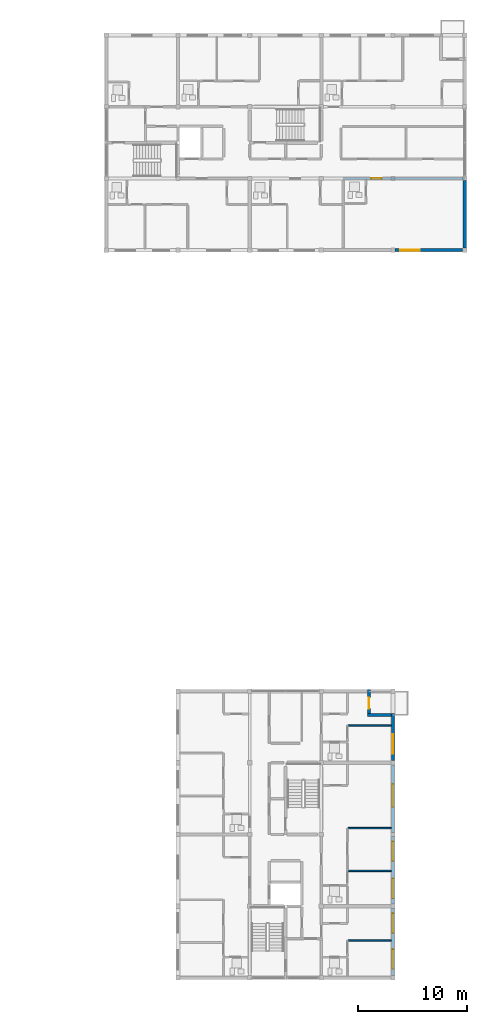
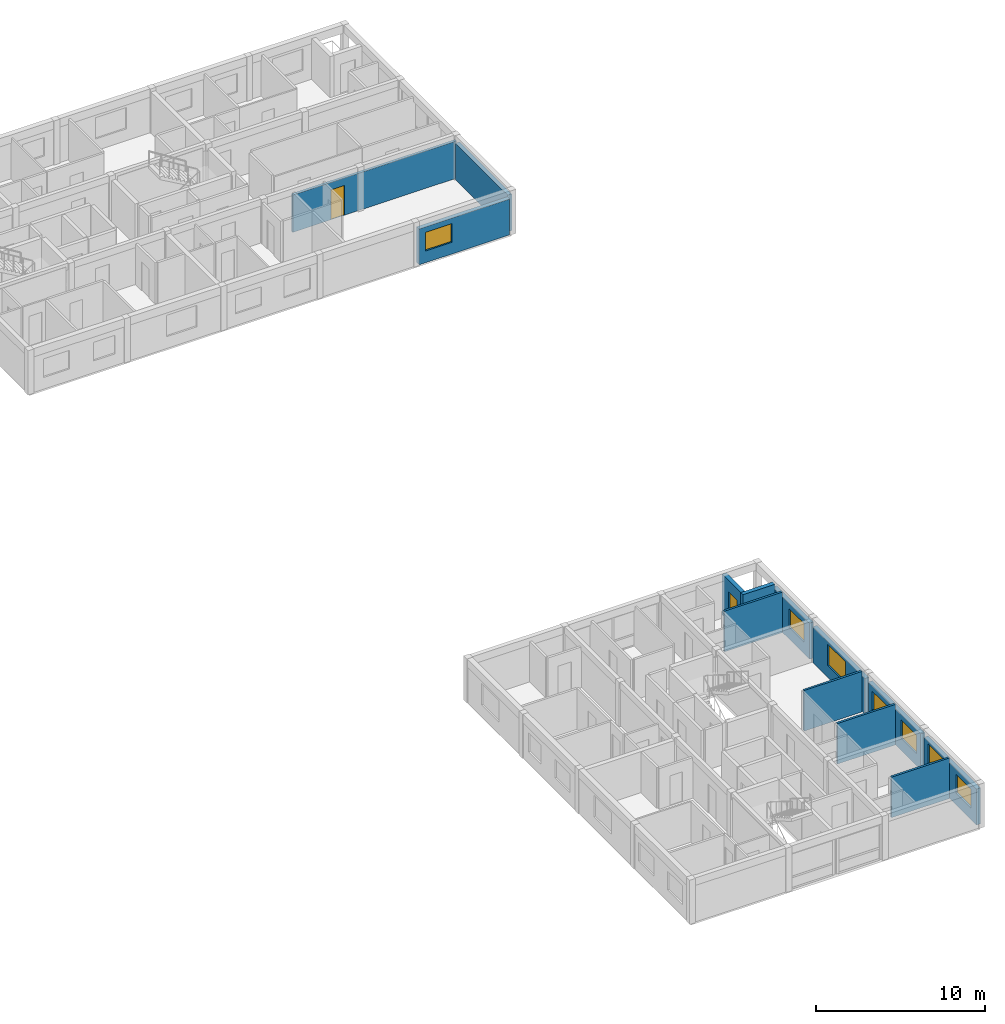
# One storey, part 26 of 34: 13 walls, 7 windows, 2 doors, 9 openings.
"""IFC4 building model written with IfcOpenShell, lengths in metres."""

from ifc_helpers import new_model, si_unit, direction, frame, frame_2d, origin, place, context, subcontext, project, spatial, rectangle, extrude, material, layer, layer_set, type_object, element, fill, save


model = new_model("IFC4")

# Units and contexts
model_context = context("Model", 3, precision=1e-05, world=origin(), true_north=direction((0.0, 1.0)))
body_context = subcontext(model_context, "Body", "Model", "MODEL_VIEW")
ifc_project = project(units=[si_unit("LENGTHUNIT", "METRE"), si_unit("AREAUNIT", "SQUARE_METRE"), si_unit("VOLUMEUNIT", "CUBIC_METRE"), si_unit("PLANEANGLEUNIT", "RADIAN"), si_unit("MASSUNIT", "GRAM", prefix="KILO")], contexts=[model_context])

# Site, building, storey
site_placement = place(None, origin())
site = spatial("IfcSite", under=ifc_project, at=site_placement, CompositionType="ELEMENT")
building_placement = place(site_placement, origin())
building = spatial("IfcBuilding", under=site, at=building_placement, Name="Kernevlak Ridge Housing Community", CompositionType="ELEMENT")
storey_placement = place(building_placement, frame((0.0, 0.0, 34.0)))
storey = spatial("IfcBuildingStorey", under=building, at=storey_placement, Name="L10", CompositionType="ELEMENT", Elevation=34.0)

# Wall, opening, window
ifc_material_1 = material(Name="Concrete block masonry M10", Category="masonry")
ifc_layer_1 = layer(ifc_material_1, 0.280029296875, Name="Concrete block masonry M10")
ifc_layer_set_1 = layer_set([ifc_layer_1], Name="Concrete block masonry M10")
wall_type_1 = type_object("IfcWallType", Name="EW-03", PredefinedType="STANDARD", material=ifc_layer_set_1)
wall_1_placement = place(storey_placement, frame((146.0, 82.60009765625, 0.0), z_axis=(0.0, 0.0, 1.0), x_axis=(1.0, 0.0, 0.0)))
wall_1 = element("IfcWall", 1, at=wall_1_placement, inside=storey, type_object=wall_type_1, Name="Exterior wall EW-03 L10 455", PredefinedType="STANDARD", context=body_context, shape_type="SweptSolid", body=[
    extrude(rectangle(XDim=6.199951171875, YDim=0.280029296875, at=frame_2d((3.10009765625, 0.0))), origin(), (0.0, 0.0, 1.0), 2.60009765625),
])
opening_1_placement = place(wall_1_placement, frame((0.449951171875, 0.0, 0.85009765625)))
opening_1 = element("IfcOpeningElement", 2, at=opening_1_placement, cuts=wall_1, Name="Opening WT-03", PredefinedType="OPENING", context=body_context, shape_type="SweptSolid", body=[
    extrude(rectangle(XDim=1.800048828125, YDim=1.35009765625, at=frame_2d((0.89990234375, 0.675048828125))), frame((0.0, 0.14990234375, 0.0), z_axis=(0.0, -1.0, 0.0), x_axis=(1.0, 0.0, 0.0)), (0.0, 0.0, 1.0), 0.300048828125),
])
ifc_material_2 = material(Name="Aluminium EN AW-6060 anodised and laminated glass", Category="aluminium")
window_type_1 = type_object("IfcWindowType", Name="WT-03", PartitioningType="SINGLE_PANEL", PredefinedType="WINDOW", material=ifc_material_2)
window_1_placement = place(opening_1_placement, origin())
window_1 = element("IfcWindow", 3, at=window_1_placement, inside=storey, type_object=window_type_1, Name="Window WT-03 L10 353", OverallHeight=1.35009765625, OverallWidth=1.800048828125, PartitioningType="SINGLE_PANEL", PredefinedType="WINDOW", context=body_context, shape_type="SweptSolid", body=[
    extrude(rectangle(XDim=1.800048828125, YDim=1.35009765625, at=frame_2d((0.89990234375, 0.675048828125))), frame((0.0, 0.030029296875, 0.0), z_axis=(0.0, -1.0, 0.0), x_axis=(1.0, 0.0, 0.0)), (0.0, 0.0, 1.0), 0.06005859375),
])
fill(opening_1, window_1)

# Wall
wall_2_placement = place(storey_placement, frame((152.39990234375, 82.800048828125, 0.0), z_axis=(0.0, 0.0, 1.0), x_axis=(0.0, 1.0, 0.0)))
element("IfcWall", 4, at=wall_2_placement, inside=storey, type_object=wall_type_1, Name="Exterior wall EW-03 L10 465", PredefinedType="STANDARD", context=body_context, shape_type="SweptSolid", body=[
    extrude(rectangle(XDim=6.199951171875, YDim=0.280029296875, at=frame_2d((3.10009765625, 0.0))), origin(), (0.0, 0.0, 1.0), 2.64990234375),
])

# Wall, openings, windows
wall_3_placement = place(storey_placement, frame((145.800048828125, 15.800048828125, 0.0), z_axis=(0.0, 0.0, 1.0), x_axis=(0.0, 1.0, 0.0)))
wall_3 = element("IfcWall", 5, at=wall_3_placement, inside=storey, type_object=wall_type_1, Name="Exterior wall EW-03 L10 674", PredefinedType="STANDARD", context=body_context, shape_type="SweptSolid", body=[
    extrude(rectangle(XDim=6.199951171875, YDim=0.280029296875, at=frame_2d((3.10009765625, 0.0))), origin(), (0.0, 0.0, 1.0), 2.60009765625),
])
opening_2_placement = place(wall_3_placement, frame((0.625, 0.0, 0.85009765625)))
opening_2 = element("IfcOpeningElement", 6, at=opening_2_placement, cuts=wall_3, Name="Opening WT-03", PredefinedType="OPENING", context=body_context, shape_type="SweptSolid", body=[
    extrude(rectangle(XDim=1.800048828125, YDim=1.35009765625, at=frame_2d((0.89990234375, 0.675048828125))), frame((0.0, 0.14990234375, 0.0), z_axis=(0.0, -1.0, 0.0), x_axis=(1.0, 0.0, 0.0)), (0.0, 0.0, 1.0), 0.300048828125),
])
opening_3_placement = place(wall_3_placement, frame((3.925048828125, 0.0, 0.85009765625)))
opening_3 = element("IfcOpeningElement", 7, at=opening_3_placement, cuts=wall_3, Name="Opening WT-04", PredefinedType="OPENING", context=body_context, shape_type="SweptSolid", body=[
    extrude(rectangle(XDim=1.800048828125, YDim=1.550048828125, at=frame_2d((0.89990234375, 0.77490234375))), frame((0.0, 0.14990234375, 0.0), z_axis=(0.0, -1.0, 0.0), x_axis=(1.0, 0.0, 0.0)), (0.0, 0.0, 1.0), 0.300048828125),
])
window_2_placement = place(opening_2_placement, origin())
window_2 = element("IfcWindow", 8, at=window_2_placement, inside=storey, type_object=window_type_1, Name="Window WT-03 L10 550", OverallHeight=1.35009765625, OverallWidth=1.800048828125, PartitioningType="SINGLE_PANEL", PredefinedType="WINDOW", context=body_context, shape_type="SweptSolid", body=[
    extrude(rectangle(XDim=1.800048828125, YDim=1.35009765625, at=frame_2d((0.89990234375, 0.675048828125))), frame((0.0, 0.030029296875, 0.0), z_axis=(0.0, -1.0, 0.0), x_axis=(1.0, 0.0, 0.0)), (0.0, 0.0, 1.0), 0.06005859375),
])
fill(opening_2, window_2)
window_type_2 = type_object("IfcWindowType", Name="WT-04", PartitioningType="SINGLE_PANEL", PredefinedType="WINDOW", material=ifc_material_2)
window_3_placement = place(opening_3_placement, origin())
window_3 = element("IfcWindow", 9, at=window_3_placement, inside=storey, type_object=window_type_2, Name="Window WT-04 L10 551", OverallHeight=1.550048828125, OverallWidth=1.800048828125, PartitioningType="SINGLE_PANEL", PredefinedType="WINDOW", context=body_context, shape_type="SweptSolid", body=[
    extrude(rectangle(XDim=1.800048828125, YDim=1.550048828125, at=frame_2d((0.89990234375, 0.77490234375))), frame((0.0, 0.030029296875, 0.0), z_axis=(0.0, -1.0, 0.0), x_axis=(1.0, 0.0, 0.0)), (0.0, 0.0, 1.0), 0.06005859375),
])
fill(opening_3, window_3)

wall_4_placement = place(storey_placement, frame((145.800048828125, 22.39990234375, 0.0), z_axis=(0.0, 0.0, 1.0), x_axis=(0.0, 1.0, 0.0)))
wall_4 = element("IfcWall", 10, at=wall_4_placement, inside=storey, type_object=wall_type_1, Name="Exterior wall EW-03 L10 675", PredefinedType="STANDARD", context=body_context, shape_type="SweptSolid", body=[
    extrude(rectangle(XDim=6.2001953125, YDim=0.280029296875, at=frame_2d((3.10009765625, 0.0))), origin(), (0.0, 0.0, 1.0), 2.60009765625),
])
opening_4_placement = place(wall_4_placement, frame((0.52490234375, 0.0, 0.85009765625)))
opening_4 = element("IfcOpeningElement", 11, at=opening_4_placement, cuts=wall_4, Name="Opening WT-03", PredefinedType="OPENING", context=body_context, shape_type="SweptSolid", body=[
    extrude(rectangle(XDim=1.800048828125, YDim=1.35009765625, at=frame_2d((0.89990234375, 0.675048828125))), frame((0.0, 0.14990234375, 0.0), z_axis=(0.0, -1.0, 0.0), x_axis=(1.0, 0.0, 0.0)), (0.0, 0.0, 1.0), 0.300048828125),
])
opening_5_placement = place(wall_4_placement, frame((3.949951171875, 0.0, 0.85009765625)))
opening_5 = element("IfcOpeningElement", 12, at=opening_5_placement, cuts=wall_4, Name="Opening WT-03", PredefinedType="OPENING", context=body_context, shape_type="SweptSolid", body=[
    extrude(rectangle(XDim=1.800048828125, YDim=1.35009765625, at=frame_2d((0.89990234375, 0.675048828125))), frame((0.0, 0.14990234375, 0.0), z_axis=(0.0, -1.0, 0.0), x_axis=(1.0, 0.0, 0.0)), (0.0, 0.0, 1.0), 0.300048828125),
])
window_4_placement = place(opening_4_placement, origin())
window_4 = element("IfcWindow", 13, at=window_4_placement, inside=storey, type_object=window_type_1, Name="Window WT-03 L10 552", OverallHeight=1.35009765625, OverallWidth=1.800048828125, PartitioningType="SINGLE_PANEL", PredefinedType="WINDOW", context=body_context, shape_type="SweptSolid", body=[
    extrude(rectangle(XDim=1.800048828125, YDim=1.35009765625, at=frame_2d((0.89990234375, 0.675048828125))), frame((0.0, 0.030029296875, 0.0), z_axis=(0.0, -1.0, 0.0), x_axis=(1.0, 0.0, 0.0)), (0.0, 0.0, 1.0), 0.06005859375),
])
fill(opening_4, window_4)
window_5_placement = place(opening_5_placement, origin())
window_5 = element("IfcWindow", 14, at=window_5_placement, inside=storey, type_object=window_type_1, Name="Window WT-03 L10 553", OverallHeight=1.35009765625, OverallWidth=1.800048828125, PartitioningType="SINGLE_PANEL", PredefinedType="WINDOW", context=body_context, shape_type="SweptSolid", body=[
    extrude(rectangle(XDim=1.800048828125, YDim=1.35009765625, at=frame_2d((0.89990234375, 0.675048828125))), frame((0.0, 0.030029296875, 0.0), z_axis=(0.0, -1.0, 0.0), x_axis=(1.0, 0.0, 0.0)), (0.0, 0.0, 1.0), 0.06005859375),
])
fill(opening_5, window_5)

# Wall, opening, window
wall_5_placement = place(storey_placement, frame((145.800048828125, 29.0, 0.0), z_axis=(0.0, 0.0, 1.0), x_axis=(0.0, 1.0, 0.0)))
wall_5 = element("IfcWall", 15, at=wall_5_placement, inside=storey, type_object=wall_type_1, Name="Exterior wall EW-03 L10 676", PredefinedType="STANDARD", context=body_context, shape_type="SweptSolid", body=[
    extrude(rectangle(XDim=6.199951171875, YDim=0.280029296875, at=frame_2d((3.10009765625, 0.0))), origin(), (0.0, 0.0, 1.0), 2.60009765625),
])
opening_6_placement = place(wall_5_placement, frame((2.345947265625, 0.0, 0.85009765625)))
opening_6 = element("IfcOpeningElement", 16, at=opening_6_placement, cuts=wall_5, Name="Opening WT-05", PredefinedType="OPENING", context=body_context, shape_type="SweptSolid", body=[
    extrude(rectangle(XDim=2.10009765625, YDim=1.550048828125, at=frame_2d((1.050048828125, 0.77490234375))), frame((0.0, 0.14990234375, 0.0), z_axis=(0.0, -1.0, 0.0), x_axis=(1.0, 0.0, 0.0)), (0.0, 0.0, 1.0), 0.300048828125),
])
window_type_3 = type_object("IfcWindowType", Name="WT-05", PartitioningType="SINGLE_PANEL", PredefinedType="WINDOW", material=ifc_material_2)
window_6_placement = place(opening_6_placement, origin())
window_6 = element("IfcWindow", 17, at=window_6_placement, inside=storey, type_object=window_type_3, Name="Window WT-05 L10 554", OverallHeight=1.550048828125, OverallWidth=2.10009765625, PartitioningType="SINGLE_PANEL", PredefinedType="WINDOW", context=body_context, shape_type="SweptSolid", body=[
    extrude(rectangle(XDim=2.10009765625, YDim=1.550048828125, at=frame_2d((1.050048828125, 0.77490234375))), frame((0.0, 0.030029296875, 0.0), z_axis=(0.0, -1.0, 0.0), x_axis=(1.0, 0.0, 0.0)), (0.0, 0.0, 1.0), 0.06005859375),
])
fill(opening_6, window_6)

wall_6_placement = place(storey_placement, frame((145.800048828125, 35.60009765625, 0.0), z_axis=(0.0, 0.0, 1.0), x_axis=(0.0, 1.0, 0.0)))
wall_6 = element("IfcWall", 18, at=wall_6_placement, inside=storey, type_object=wall_type_1, Name="Exterior wall EW-03 L10 677", PredefinedType="STANDARD", context=body_context, shape_type="SweptSolid", body=[
    extrude(rectangle(XDim=4.33984375, YDim=0.280029296875, at=frame_2d((2.169921875, 0.0))), origin(), (0.0, 0.0, 1.0), 2.60009765625),
])
opening_7_placement = place(wall_6_placement, frame((0.625, 0.0, 0.85009765625)))
opening_7 = element("IfcOpeningElement", 19, at=opening_7_placement, cuts=wall_6, Name="Opening WT-03", PredefinedType="OPENING", context=body_context, shape_type="SweptSolid", body=[
    extrude(rectangle(XDim=1.800048828125, YDim=1.35009765625, at=frame_2d((0.89990234375, 0.675048828125))), frame((0.0, 0.14990234375, 0.0), z_axis=(0.0, -1.0, 0.0), x_axis=(1.0, 0.0, 0.0)), (0.0, 0.0, 1.0), 0.300048828125),
])
window_7_placement = place(opening_7_placement, origin())
window_7 = element("IfcWindow", 20, at=window_7_placement, inside=storey, type_object=window_type_1, Name="Window WT-03 L10 555", OverallHeight=1.35009765625, OverallWidth=1.800048828125, PartitioningType="SINGLE_PANEL", PredefinedType="WINDOW", context=body_context, shape_type="SweptSolid", body=[
    extrude(rectangle(XDim=1.800048828125, YDim=1.35009765625, at=frame_2d((0.89990234375, 0.675048828125))), frame((0.0, 0.030029296875, 0.0), z_axis=(0.0, -1.0, 0.0), x_axis=(1.0, 0.0, 0.0)), (0.0, 0.0, 1.0), 0.06005859375),
])
fill(opening_7, window_7)

# Wall
wall_7_placement = place(storey_placement, frame((145.659912109375, 39.800048828125, 0.0), z_axis=(0.0, 0.0, 1.0), x_axis=(-1.0, 0.0, 0.0)))
element("IfcWall", 21, at=wall_7_placement, inside=storey, type_object=wall_type_1, Name="Exterior wall EW-03 L10 678", PredefinedType="STANDARD", context=body_context, shape_type="SweptSolid", body=[
    extrude(rectangle(XDim=2.199951171875, YDim=0.280029296875, at=frame_2d((1.10009765625, 0.0))), origin(), (0.0, 0.0, 1.0), 2.969970703125),
])

# Wall, opening, door
wall_8_placement = place(storey_placement, frame((143.60009765625, 39.93994140625, 0.0), z_axis=(0.0, 0.0, 1.0), x_axis=(0.0, 1.0, 0.0)))
wall_8 = element("IfcWall", 22, at=wall_8_placement, inside=storey, type_object=wall_type_1, Name="Exterior wall EW-03 L10 679", PredefinedType="STANDARD", context=body_context, shape_type="SweptSolid", body=[
    extrude(rectangle(XDim=2.199951171875, YDim=0.280029296875, at=frame_2d((1.10009765625, 0.0))), origin(), (0.0, 0.0, 1.0), 2.969970703125),
])
opening_8_placement = place(wall_8_placement, frame((0.4599609375, 0.0, 0.0)))
opening_8 = element("IfcOpeningElement", 23, at=opening_8_placement, cuts=wall_8, Name="Opening E415", PredefinedType="OPENING", context=body_context, shape_type="SweptSolid", body=[
    extrude(rectangle(XDim=1.0, YDim=2.14990234375, at=frame_2d((0.5, 1.074951171875))), frame((0.0, 0.14990234375, 0.0), z_axis=(0.0, -1.0, 0.0), x_axis=(1.0, 0.0, 0.0)), (0.0, 0.0, 1.0), 0.300048828125),
])
ifc_material_3 = material(Name="Aluminium EN AW-6060 and laminated safety glass", Category="aluminium")
door_type_1 = type_object("IfcDoorType", Name="DT-08", OperationType="NOTDEFINED", PredefinedType="DOOR", material=ifc_material_3)
door_1_placement = place(opening_8_placement, origin())
door_1 = element("IfcDoor", 24, at=door_1_placement, inside=storey, type_object=door_type_1, Name="Flat C1023 corner balcony glazed door E415", OperationType="SINGLE_SWING_RIGHT", OverallHeight=2.14990234375, OverallWidth=1.0, PredefinedType="DOOR", context=body_context, shape_type="SweptSolid", body=[
    extrude(rectangle(XDim=1.0, YDim=2.14990234375, at=frame_2d((0.5, 1.074951171875))), frame((0.0, 0.02490234375, 0.0), z_axis=(0.0, -1.0, 0.0), x_axis=(1.0, 0.0, 0.0)), (0.0, 0.0, 1.0), 0.050048828125),
])
fill(opening_8, door_1)

ifc_layer_2 = layer(ifc_material_1, 0.175048828125, Name="Concrete block masonry M10")
ifc_layer_set_2 = layer_set([ifc_layer_2], Name="Concrete block masonry M10")
wall_type_2 = type_object("IfcWallType", Name="PW-02", PredefinedType="PARTITIONING", material=ifc_layer_set_2)
wall_9_placement = place(storey_placement, frame((141.199951171875, 89.199951171875, 0.0), z_axis=(0.0, 0.0, 1.0), x_axis=(1.0, 0.0, 0.0)))
wall_9 = element("IfcWall", 25, at=wall_9_placement, inside=storey, type_object=wall_type_2, Name="Interior wall PW-02 WAL-INT-L10-1803", PredefinedType="PARTITIONING", context=body_context, shape_type="SweptSolid", body=[
    extrude(rectangle(XDim=11.199951171875, YDim=0.175048828125, at=frame_2d((5.60009765625, 0.0))), origin(), (0.0, 0.0, 1.0), 2.699951171875),
])
opening_9_placement = place(wall_9_placement, frame((2.60009765625, 0.0, 0.0)))
opening_9 = element("IfcOpeningElement", 26, at=opening_9_placement, cuts=wall_9, Name="Opening D912", PredefinedType="OPENING", context=body_context, shape_type="SweptSolid", body=[
    extrude(rectangle(XDim=0.949951171875, YDim=2.159912109375, at=frame_2d((0.47509765625, 1.080078125))), frame((0.0, 0.097412109375, 0.0), z_axis=(0.0, -1.0, 0.0), x_axis=(1.0, 0.0, 0.0)), (0.0, 0.0, 1.0), 0.195068359375),
])
ifc_material_4 = material(Name="Hardwood timber solid-core fire leaf", Category="wood")
door_type_2 = type_object("IfcDoorType", Name="DT-02", OperationType="NOTDEFINED", PredefinedType="DOOR", material=ifc_material_4)
door_2_placement = place(opening_9_placement, origin())
door_2 = element("IfcDoor", 27, at=door_2_placement, inside=storey, type_object=door_type_2, Name="Flat B1013 entrance fire door D912", OperationType="SINGLE_SWING_RIGHT", OverallHeight=2.159912109375, OverallWidth=0.949951171875, PredefinedType="DOOR", context=body_context, shape_type="SweptSolid", body=[
    extrude(rectangle(XDim=0.949951171875, YDim=2.159912109375, at=frame_2d((0.47509765625, 1.080078125))), frame((0.0, 0.02490234375, 0.0), z_axis=(0.0, -1.0, 0.0), x_axis=(1.0, 0.0, 0.0)), (0.0, 0.0, 1.0), 0.050048828125),
])
fill(opening_9, door_2)

# Walls
ifc_layer_3 = layer(ifc_material_1, 0.14501953125, Name="Concrete block masonry M10")
ifc_layer_set_3 = layer_set([ifc_layer_3], Name="Concrete block masonry M10")
wall_type_3 = type_object("IfcWallType", Name="PW-03", PredefinedType="PARTITIONING", material=ifc_layer_set_3)
for number, where, z_axis, x_axis, name in (
    (28, (141.6826171875, 19.050048828125, 0.0), (0.0, 0.0, 1.0), (1.0, 0.0, 0.0), "Interior wall PW-03 WAL-INT-L10-2773"),
    (29, (141.6826171875, 25.449951171875, 0.0), (0.0, 0.0, 1.0), (1.0, 0.0, 0.0), "Interior wall PW-03 WAL-INT-L10-2780"),
):
    element("IfcWall", number, at=place(storey_placement, frame(where, z_axis=z_axis, x_axis=x_axis)), inside=storey, type_object=wall_type_3, Name=name, PredefinedType="PARTITIONING", context=body_context, shape_type="SweptSolid", body=[
        extrude(rectangle(XDim=3.96728515625, YDim=0.14501953125, at=frame_2d((1.983642578125, 0.0))), origin(), (0.0, 0.0, 1.0), 2.93505859375),
    ])
wall_10_placement = place(storey_placement, frame((141.679931640625, 29.39208984375, 0.0), z_axis=(0.0, 0.0, 1.0), x_axis=(1.0, 0.0, 0.0)))
element("IfcWall", 30, at=wall_10_placement, inside=storey, type_object=wall_type_3, Name="Interior wall PW-03 WAL-INT-L10-2782", PredefinedType="PARTITIONING", context=body_context, shape_type="SweptSolid", body=[
    extrude(rectangle(XDim=3.969970703125, YDim=0.14501953125, at=frame_2d((1.98486328125, 0.0))), origin(), (0.0, 0.0, 1.0), 2.93505859375),
])
wall_11_placement = place(storey_placement, frame((141.6826171875, 38.85009765625, 0.0), z_axis=(0.0, 0.0, 1.0), x_axis=(1.0, 0.0, 0.0)))
element("IfcWall", 31, at=wall_11_placement, inside=storey, type_object=wall_type_3, Name="Interior wall PW-03 WAL-INT-L10-2789", PredefinedType="PARTITIONING", context=body_context, shape_type="SweptSolid", body=[
    extrude(rectangle(XDim=3.96728515625, YDim=0.14501953125, at=frame_2d((1.983642578125, 0.0))), origin(), (0.0, 0.0, 1.0), 2.93505859375),
])

save(model, "model.ifc")
